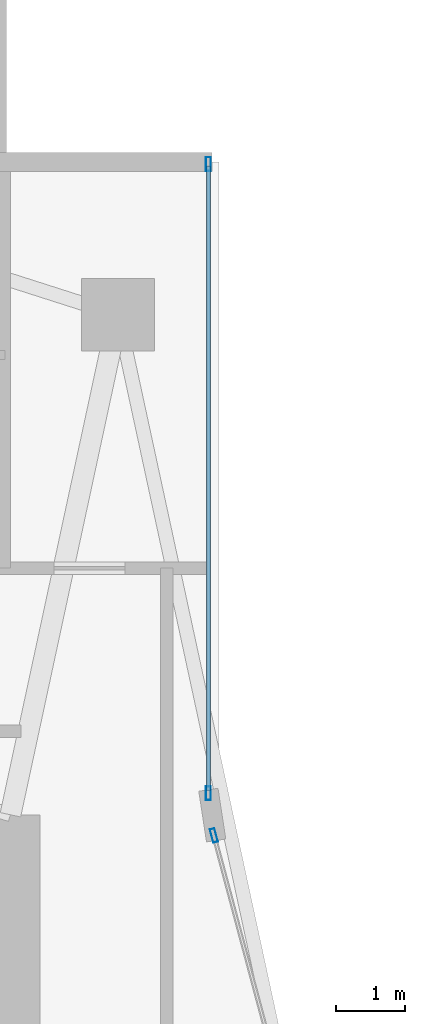
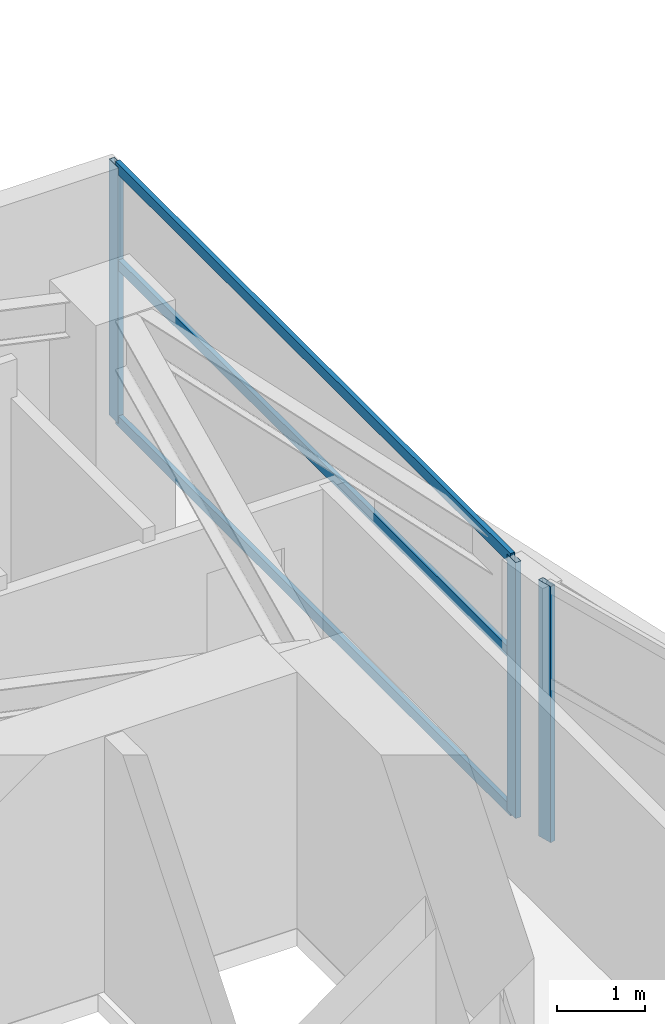
# One storey, part 18 of 29: 6 members, 2 elements without a shape of their own.
"""IFC4 building model written with IfcOpenShell, lengths in metres."""

from ifc_helpers import new_model, si_unit, direction, frame, origin, origin_2d, place, context, subcontext, project, spatial, hollow_rectangle, extrude, material, layer, layer_set, material_profile, profile_set, type_object, element, aggregate, save


model = new_model("IFC4")

# Units and contexts
model_context = context("Model", 3, precision=1e-05, world=origin(), true_north=direction((0.0, 1.0)))
body_context = subcontext(model_context, "Body", "Model", "MODEL_VIEW")
ifc_project = project(units=[si_unit("LENGTHUNIT", "METRE"), si_unit("AREAUNIT", "SQUARE_METRE"), si_unit("VOLUMEUNIT", "CUBIC_METRE"), si_unit("PLANEANGLEUNIT", "RADIAN"), si_unit("MASSUNIT", "GRAM", prefix="KILO")], contexts=[model_context])

# Site, building, storey
site_placement = place(None, origin())
site = spatial("IfcSite", under=ifc_project, at=site_placement, CompositionType="ELEMENT")
building_placement = place(site_placement, origin())
building = spatial("IfcBuilding", under=site, at=building_placement, Name="Calvorn Quay Hotel", CompositionType="ELEMENT")
storey_placement = place(building_placement, frame((0.0, 0.0, 105.0)))
storey = spatial("IfcBuildingStorey", under=building, at=storey_placement, Name="L25", CompositionType="ELEMENT", Elevation=105.0)

# Curtain wall, member
ifc_material_1 = material(Name="Pale Anodised Aluminium and Low-E Glass", Category="aluminium")
ifc_layer = layer(ifc_material_1, 0.219970703125)
ifc_layer_set = layer_set([ifc_layer], Name="CW-SYS-Z2")
curtain_wall_type = type_object("IfcCurtainWallType", Name="CW-SYS-Z2", PredefinedType="NOTDEFINED", material=ifc_layer_set)
curtain_wall_1_placement = place(storey_placement, origin())
curtain_wall_1 = element("IfcCurtainWall", 1, at=curtain_wall_1_placement, inside=storey, type_object=curtain_wall_type, Name="Inner Court Curtain Wall L25-IC1", PredefinedType="NOTDEFINED")
ifc_material_2 = material(Name="Pale Anodised Aluminium 6063-T6", Category="aluminium")
ifc_material_profile_1 = material_profile(ifc_material_2, hollow_rectangle(XDim=0.070068359375, YDim=0.199951171875, WallThickness=0.00390625, at=origin_2d()), Name="ALU-M200x70x4")
ifc_profile_set_1 = profile_set([ifc_material_profile_1], Name="Pale Anodised Aluminium 6063-T6")
member_type_1 = type_object("IfcMemberType", Name="CW-SYS-Z2-MUL", PredefinedType="MULLION", material=ifc_profile_set_1)
member_1_placement = place(storey_placement, frame((17.9296875, 38.10107421875, 0.0), z_axis=(0.0, 0.0, 1.0), x_axis=(-0.96593652056, -0.25877913024, 0.0)))
member_1 = element("IfcMember", 2, at=member_1_placement, type_object=member_type_1, Name="CW-L25-IC1 mullion 2", PredefinedType="MULLION", context=body_context, shape_type="SweptSolid", body=[
    extrude(hollow_rectangle(XDim=0.070068359375, YDim=0.199951171875, WallThickness=0.00390625, at=origin_2d()), origin(), (0.0, 0.0, 1.0), 3.56005859375),
])
aggregate(curtain_wall_1, [member_1])

# Curtain wall, members
curtain_wall_2_placement = place(storey_placement, origin())
curtain_wall_2 = element("IfcCurtainWall", 3, at=curtain_wall_2_placement, inside=storey, type_object=curtain_wall_type, Name="Inner Court Curtain Wall L25-IC2", PredefinedType="NOTDEFINED")
member_2_placement = place(storey_placement, frame((17.85009765625, 38.7099609375, 0.0), z_axis=(0.0, 0.0, 1.0), x_axis=(-1.0, 0.0, 0.0)))
member_2 = element("IfcMember", 4, at=member_2_placement, type_object=member_type_1, Name="CW-L25-IC2 mullion 1", PredefinedType="MULLION", context=body_context, shape_type="SweptSolid", body=[
    extrude(hollow_rectangle(XDim=0.070068359375, YDim=0.199951171875, WallThickness=0.00390625, at=origin_2d()), origin(), (0.0, 0.0, 1.0), 3.56005859375),
])
member_3_placement = place(storey_placement, frame((17.85009765625, 47.77001953125, 0.0), z_axis=(0.0, 0.0, 1.0), x_axis=(-1.0, 0.0, 0.0)))
member_3 = element("IfcMember", 5, at=member_3_placement, type_object=member_type_1, Name="CW-L25-IC2 mullion 2", PredefinedType="MULLION", context=body_context, shape_type="SweptSolid", body=[
    extrude(hollow_rectangle(XDim=0.070068359375, YDim=0.199951171875, WallThickness=0.00390625, at=origin_2d()), origin(), (0.0, 0.0, 1.0), 3.56005859375),
])
ifc_material_3 = material(Name="Pale Anodised Aluminium 6063-T6", Category="aluminium")
ifc_material_profile_2 = material_profile(ifc_material_3, hollow_rectangle(XDim=0.06005859375, YDim=0.14990234375, WallThickness=0.00341796875, at=origin_2d()), Name="ALU-T150x60x3.5")
ifc_profile_set_2 = profile_set([ifc_material_profile_2], Name="Pale Anodised Aluminium 6063-T6")
member_type_2 = type_object("IfcMemberType", Name="CW-SYS-Z2-TRN", PredefinedType="USERDEFINED", material=ifc_profile_set_2)
member_4_placement = place(storey_placement, frame((17.85009765625, 38.739990234375, 0.030029296875), z_axis=(0.0, 1.0, 0.0), x_axis=(-1.0, 0.0, 0.0)))
member_4 = element("IfcMember", 6, at=member_4_placement, type_object=member_type_2, Name="CW-L25-IC2 transom 1.1", ObjectType="TRANSOM", PredefinedType="USERDEFINED", context=body_context, shape_type="SweptSolid", body=[
    extrude(hollow_rectangle(XDim=0.06005859375, YDim=0.14990234375, WallThickness=0.00341796875, at=origin_2d()), origin(), (0.0, 0.0, 1.0), 9.0),
])
member_5_placement = place(storey_placement, frame((17.85009765625, 38.739990234375, 2.199951171875), z_axis=(0.0, 1.0, 0.0), x_axis=(-1.0, 0.0, 0.0)))
member_5 = element("IfcMember", 7, at=member_5_placement, type_object=member_type_2, Name="CW-L25-IC2 transom 1.2", ObjectType="TRANSOM", PredefinedType="USERDEFINED", context=body_context, shape_type="SweptSolid", body=[
    extrude(hollow_rectangle(XDim=0.06005859375, YDim=0.14990234375, WallThickness=0.00341796875, at=origin_2d()), origin(), (0.0, 0.0, 1.0), 9.0),
])
member_6_placement = place(storey_placement, frame((17.85009765625, 38.739990234375, 3.530029296875), z_axis=(0.0, 1.0, 0.0), x_axis=(-1.0, 0.0, 0.0)))
member_6 = element("IfcMember", 8, at=member_6_placement, type_object=member_type_2, Name="CW-L25-IC2 transom 1.3", ObjectType="TRANSOM", PredefinedType="USERDEFINED", context=body_context, shape_type="SweptSolid", body=[
    extrude(hollow_rectangle(XDim=0.06005859375, YDim=0.14990234375, WallThickness=0.00341796875, at=origin_2d()), origin(), (0.0, 0.0, 1.0), 9.0),
])
aggregate(curtain_wall_2, [member_2, member_3, member_4, member_5, member_6])

save(model, "model.ifc")
